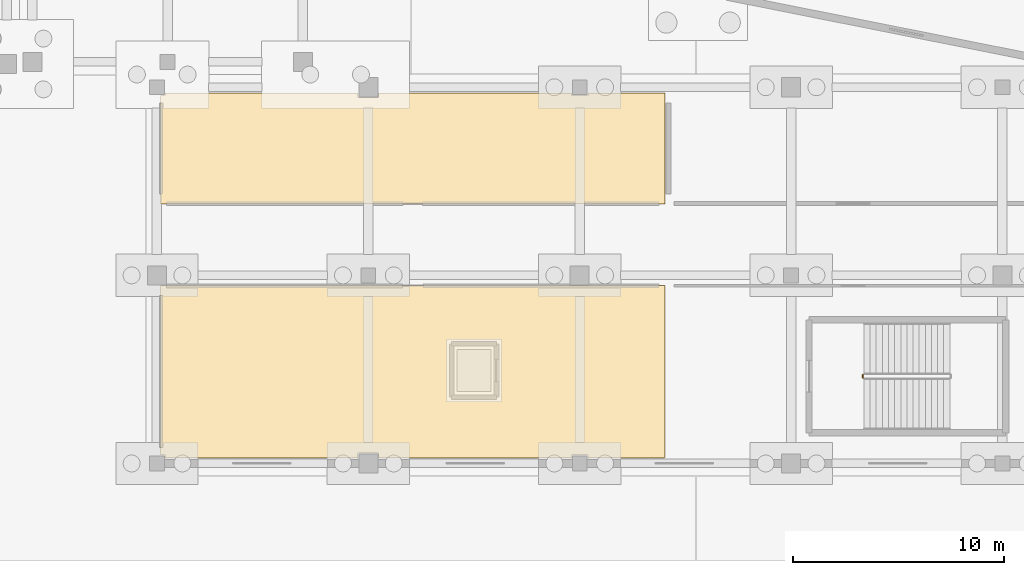
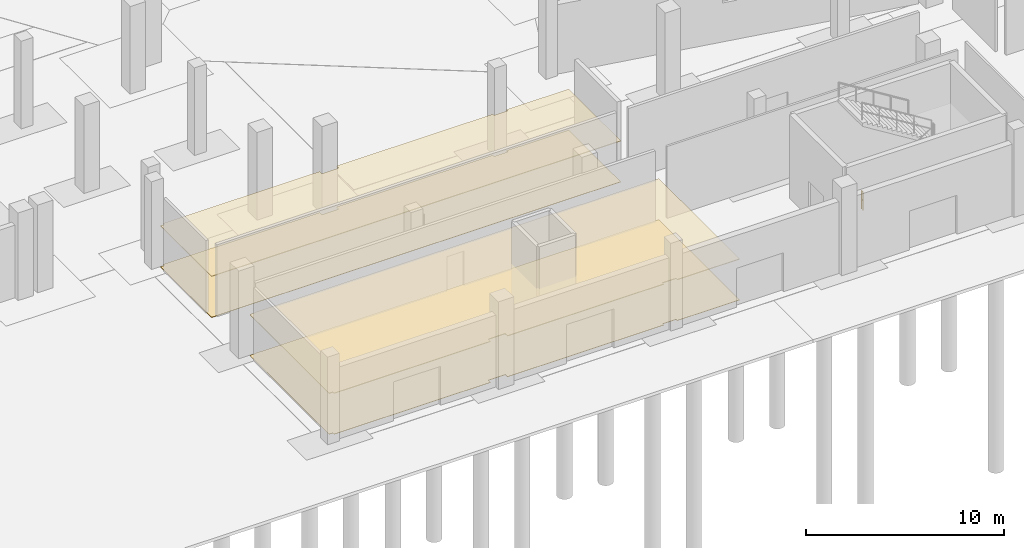
# One storey, part 46 of 68: 4 coverings, 1 railing.
"""IFC4 building model written with IfcOpenShell, lengths in metres."""

from ifc_helpers import new_model, si_unit, direction, frame, origin, origin_2d, place, context, subcontext, project, spatial, polyline, circle, outline, extrude, material, layer, layer_set, type_object, element, save


model = new_model("IFC4")

# Units and contexts
model_context = context("Model", 3, precision=1e-05, world=origin(), true_north=direction((0.0, 1.0)))
body_context = subcontext(model_context, "Body", "Model", "MODEL_VIEW")
ifc_project = project(units=[si_unit("LENGTHUNIT", "METRE"), si_unit("AREAUNIT", "SQUARE_METRE"), si_unit("VOLUMEUNIT", "CUBIC_METRE"), si_unit("PLANEANGLEUNIT", "RADIAN"), si_unit("MASSUNIT", "GRAM", prefix="KILO")], contexts=[model_context])

# Site, building, storey
site_placement = place(None, origin())
site = spatial("IfcSite", under=ifc_project, at=site_placement, CompositionType="ELEMENT")
building_placement = place(site_placement, origin())
building = spatial("IfcBuilding", under=site, at=building_placement, Name="Candeia Ridge Stadium", CompositionType="ELEMENT")
storey_placement = place(building_placement, origin())
storey = spatial("IfcBuildingStorey", under=building, at=storey_placement, Name="L00", CompositionType="ELEMENT", Elevation=0.0)

# Coverings
ifc_material_1 = material(Name="Basalt Terrazzo Finish", Category="masonry")
ifc_layer_1 = layer(ifc_material_1, 0.02490234375, Name="Basalt Terrazzo Finish", Category="masonry")
ifc_layer_set_1 = layer_set([ifc_layer_1], Name="Basalt Terrazzo Finish")
covering_type_1 = type_object("IfcCoveringType", Name="Polished Basalt Terrazzo Flooring 25", PredefinedType="FLOORING", material=ifc_layer_set_1)
covering_1_placement = place(storey_placement, origin())
element("IfcCovering", 1, at=covering_1_placement, inside=storey, type_object=covering_type_1, Name="Interior finish flooring Candeia Football Heritage Museum Lobby", PredefinedType="FLOORING", context=body_context, shape_type="SweptSolid", body=[
    extrude(outline(polyline([(25.670166015625, 9.0029296875), (25.670654296875, 9.005859375), (25.67138671875, 9.0087890625), (25.671875, 9.010009765625), (25.989990234375, 9.010009765625), (25.989990234375, 9.030029296875), (45.010009765625, 9.030029296875), (45.010009765625, 9.010009765625), (45.989990234375, 9.010009765625), (45.989990234375, 9.030029296875), (49.5, 9.030029296875), (49.5029296875, 9.02978515625), (49.505859375, 9.029296875), (49.5087890625, 9.02880859375), (49.511474609375, 9.027587890625), (49.51416015625, 9.026611328125), (49.5166015625, 9.02490234375), (49.51904296875, 9.023193359375), (49.521240234375, 9.021240234375), (49.523193359375, 9.01904296875), (49.52490234375, 9.0166015625), (49.526611328125, 9.01416015625), (49.527587890625, 9.011474609375), (49.52880859375, 9.0087890625), (49.529296875, 9.005859375), (49.52978515625, 9.0029296875), (49.530029296875, 9.0), (49.530029296875, 0.89990234375), (49.52978515625, 0.897216796875), (49.529296875, 0.89404296875), (49.52880859375, 0.891357421875), (49.527587890625, 0.888427734375), (49.526611328125, 0.885986328125), (49.52490234375, 0.88330078125), (49.523193359375, 0.881103515625), (49.521240234375, 0.87890625), (49.51904296875, 0.876708984375), (49.5166015625, 0.875), (49.51416015625, 0.87353515625), (49.511474609375, 0.872314453125), (49.5087890625, 0.871337890625), (49.505859375, 0.87060546875), (49.5029296875, 0.8701171875), (49.5, 0.8701171875), (45.889892578125, 0.8701171875), (45.889892578125, 0.989990234375), (45.110107421875, 0.989990234375), (45.110107421875, 0.8701171875), (35.989990234375, 0.8701171875), (35.989990234375, 1.090087890625), (35.010009765625, 1.090087890625), (35.010009765625, 0.8701171875), (25.889892578125, 0.8701171875), (25.889892578125, 0.989990234375), (25.669921875, 0.989990234375), (25.669921875, 9.0), (25.670166015625, 9.0029296875)])), origin(), (0.0, 0.0, 1.0), 0.02001953125),
])
covering_2_placement = place(storey_placement, origin())
element("IfcCovering", 2, at=covering_2_placement, inside=storey, type_object=covering_type_1, Name="Interior finish flooring Candeia Football Heritage Museum Lobby North Hall", PredefinedType="FLOORING", context=body_context, shape_type="SweptSolid", body=[
    extrude(outline(polyline([(25.694091796875, 12.87060546875), (25.69140625, 12.871337890625), (25.6884765625, 12.872314453125), (25.685791015625, 12.87353515625), (25.683349609375, 12.875), (25.680908203125, 12.876708984375), (25.6787109375, 12.87890625), (25.6767578125, 12.881103515625), (25.675048828125, 12.88330078125), (25.673583984375, 12.885986328125), (25.67236328125, 12.888427734375), (25.67138671875, 12.891357421875), (25.670654296875, 12.89404296875), (25.670166015625, 12.897216796875), (25.669921875, 12.89990234375), (25.669921875, 18.010009765625), (25.889892578125, 18.010009765625), (25.889892578125, 18.1298828125), (35.010009765625, 18.1298828125), (35.010009765625, 17.909912109375), (35.989990234375, 17.909912109375), (35.989990234375, 18.1298828125), (45.110107421875, 18.1298828125), (45.110107421875, 18.010009765625), (45.889892578125, 18.010009765625), (45.889892578125, 18.1298828125), (49.5, 18.1298828125), (49.5029296875, 18.1298828125), (49.505859375, 18.12939453125), (49.5087890625, 18.128662109375), (49.511474609375, 18.127685546875), (49.51416015625, 18.12646484375), (49.5166015625, 18.125), (49.51904296875, 18.123291015625), (49.521240234375, 18.12109375), (49.523193359375, 18.118896484375), (49.52490234375, 18.11669921875), (49.526611328125, 18.114013671875), (49.527587890625, 18.111572265625), (49.52880859375, 18.108642578125), (49.529296875, 18.10595703125), (49.52978515625, 18.102783203125), (49.530029296875, 18.10009765625), (49.530029296875, 12.89990234375), (49.52978515625, 12.897216796875), (49.529296875, 12.89404296875), (49.52880859375, 12.891357421875), (49.527587890625, 12.888427734375), (49.526611328125, 12.885986328125), (49.52490234375, 12.88330078125), (49.523193359375, 12.881103515625), (49.521240234375, 12.87890625), (49.51904296875, 12.876708984375), (49.5166015625, 12.875), (49.51416015625, 12.87353515625), (49.511474609375, 12.872314453125), (49.5087890625, 12.871337890625), (49.505859375, 12.87060546875), (49.5029296875, 12.8701171875), (49.5, 12.8701171875), (25.699951171875, 12.8701171875), (25.697021484375, 12.8701171875), (25.694091796875, 12.87060546875)])), origin(), (0.0, 0.0, 1.0), 0.02001953125),
])
ifc_material_2 = material(Name="Western Red Cedar Acoustic Slat", Category="wood")
ifc_layer_2 = layer(ifc_material_2, 0.044921875, Name="Western Red Cedar Acoustic Slat", Category="wood")
ifc_layer_set_2 = layer_set([ifc_layer_2], Name="Western Red Cedar Acoustic Slat")
covering_type_2 = type_object("IfcCoveringType", Name="Slatted Cedar Acoustic Ceiling 45", PredefinedType="CEILING", material=ifc_layer_set_2)
covering_3_placement = place(storey_placement, frame((0.0, 0.0, 2.510009765625)))
element("IfcCovering", 3, at=covering_3_placement, inside=storey, type_object=covering_type_2, Name="Acoustic ceiling Candeia Football Heritage Museum Lobby", PredefinedType="CEILING", context=body_context, shape_type="SweptSolid", body=[
    extrude(outline(polyline([(25.670166015625, 9.0029296875), (25.670654296875, 9.005859375), (25.67138671875, 9.0087890625), (25.671875, 9.010009765625), (25.989990234375, 9.010009765625), (25.989990234375, 9.030029296875), (45.010009765625, 9.030029296875), (45.010009765625, 9.010009765625), (45.989990234375, 9.010009765625), (45.989990234375, 9.030029296875), (49.5, 9.030029296875), (49.5029296875, 9.02978515625), (49.505859375, 9.029296875), (49.5087890625, 9.02880859375), (49.511474609375, 9.027587890625), (49.51416015625, 9.026611328125), (49.5166015625, 9.02490234375), (49.51904296875, 9.023193359375), (49.521240234375, 9.021240234375), (49.523193359375, 9.01904296875), (49.52490234375, 9.0166015625), (49.526611328125, 9.01416015625), (49.527587890625, 9.011474609375), (49.52880859375, 9.0087890625), (49.529296875, 9.005859375), (49.52978515625, 9.0029296875), (49.530029296875, 9.0), (49.530029296875, 0.89990234375), (49.52978515625, 0.897216796875), (49.529296875, 0.89404296875), (49.52880859375, 0.891357421875), (49.527587890625, 0.888427734375), (49.526611328125, 0.885986328125), (49.52490234375, 0.88330078125), (49.523193359375, 0.881103515625), (49.521240234375, 0.87890625), (49.51904296875, 0.876708984375), (49.5166015625, 0.875), (49.51416015625, 0.87353515625), (49.511474609375, 0.872314453125), (49.5087890625, 0.871337890625), (49.505859375, 0.87060546875), (49.5029296875, 0.8701171875), (49.5, 0.8701171875), (45.889892578125, 0.8701171875), (45.889892578125, 0.989990234375), (45.110107421875, 0.989990234375), (45.110107421875, 0.8701171875), (35.989990234375, 0.8701171875), (35.989990234375, 1.090087890625), (35.010009765625, 1.090087890625), (35.010009765625, 0.8701171875), (25.889892578125, 0.8701171875), (25.889892578125, 0.989990234375), (25.669921875, 0.989990234375), (25.669921875, 9.0), (25.670166015625, 9.0029296875)])), origin(), (0.0, 0.0, 1.0), 0.0400390625),
])
covering_4_placement = place(storey_placement, frame((0.0, 0.0, 2.510009765625)))
element("IfcCovering", 4, at=covering_4_placement, inside=storey, type_object=covering_type_2, Name="Acoustic ceiling Candeia Football Heritage Museum Lobby North Hall", PredefinedType="CEILING", context=body_context, shape_type="SweptSolid", body=[
    extrude(outline(polyline([(25.694091796875, 12.87060546875), (25.69140625, 12.871337890625), (25.6884765625, 12.872314453125), (25.685791015625, 12.87353515625), (25.683349609375, 12.875), (25.680908203125, 12.876708984375), (25.6787109375, 12.87890625), (25.6767578125, 12.881103515625), (25.675048828125, 12.88330078125), (25.673583984375, 12.885986328125), (25.67236328125, 12.888427734375), (25.67138671875, 12.891357421875), (25.670654296875, 12.89404296875), (25.670166015625, 12.897216796875), (25.669921875, 12.89990234375), (25.669921875, 18.010009765625), (25.889892578125, 18.010009765625), (25.889892578125, 18.1298828125), (35.010009765625, 18.1298828125), (35.010009765625, 17.909912109375), (35.989990234375, 17.909912109375), (35.989990234375, 18.1298828125), (45.110107421875, 18.1298828125), (45.110107421875, 18.010009765625), (45.889892578125, 18.010009765625), (45.889892578125, 18.1298828125), (49.5, 18.1298828125), (49.5029296875, 18.1298828125), (49.505859375, 18.12939453125), (49.5087890625, 18.128662109375), (49.511474609375, 18.127685546875), (49.51416015625, 18.12646484375), (49.5166015625, 18.125), (49.51904296875, 18.123291015625), (49.521240234375, 18.12109375), (49.523193359375, 18.118896484375), (49.52490234375, 18.11669921875), (49.526611328125, 18.114013671875), (49.527587890625, 18.111572265625), (49.52880859375, 18.108642578125), (49.529296875, 18.10595703125), (49.52978515625, 18.102783203125), (49.530029296875, 18.10009765625), (49.530029296875, 12.89990234375), (49.52978515625, 12.897216796875), (49.529296875, 12.89404296875), (49.52880859375, 12.891357421875), (49.527587890625, 12.888427734375), (49.526611328125, 12.885986328125), (49.52490234375, 12.88330078125), (49.523193359375, 12.881103515625), (49.521240234375, 12.87890625), (49.51904296875, 12.876708984375), (49.5166015625, 12.875), (49.51416015625, 12.87353515625), (49.511474609375, 12.872314453125), (49.5087890625, 12.871337890625), (49.505859375, 12.87060546875), (49.5029296875, 12.8701171875), (49.5, 12.8701171875), (25.699951171875, 12.8701171875), (25.697021484375, 12.8701171875), (25.694091796875, 12.87060546875)])), origin(), (0.0, 0.0, 1.0), 0.0400390625),
])

# Railing
ifc_material_3 = material(Name="Galvanized Powder-Coated Steel", Category="steel")
ifc_layer_3 = layer(ifc_material_3, 0.06005859375, Name="Galvanized Powder-Coated Steel", Category="steel")
ifc_layer_set_3 = layer_set([ifc_layer_3], Name="Galvanized Powder-Coated Steel")
railing_type = type_object("IfcRailingType", Name="Stair Well Guardrail 1100", PredefinedType="GUARDRAIL", material=ifc_layer_set_3)
railing_placement = place(storey_placement, frame((58.89990234375, 4.64990234375, 0.0)))
element("IfcRailing", 5, at=railing_placement, inside=storey, type_object=railing_type, Name="L00 ST13 stair guard 4", PredefinedType="GUARDRAIL", context=body_context, shape_type="SweptSolid", body=[
    extrude(circle(Radius=0.02392578125, at=origin_2d()), frame((0.0, 0.0, 1.076171875), z_axis=(0.0, 1.0, 0.0), x_axis=(-1.0, 0.0, 0.0)), (0.0, 0.0, 1.0), 0.150146484375),
    extrude(circle(Radius=0.02392578125, at=origin_2d()), frame((0.0, 0.0, 0.550048828125), z_axis=(0.0, 1.0, 0.0), x_axis=(-1.0, 0.0, 0.0)), (0.0, 0.0, 1.0), 0.150146484375),
    extrude(circle(Radius=0.02099609375, at=origin_2d()), origin(), (0.0, 0.0, 1.0), 1.052001953125),
    extrude(circle(Radius=0.02099609375, at=origin_2d()), frame((0.0, 0.150146484375, 0.0)), (0.0, 0.0, 1.0), 1.052001953125),
])

save(model, "model.ifc")
